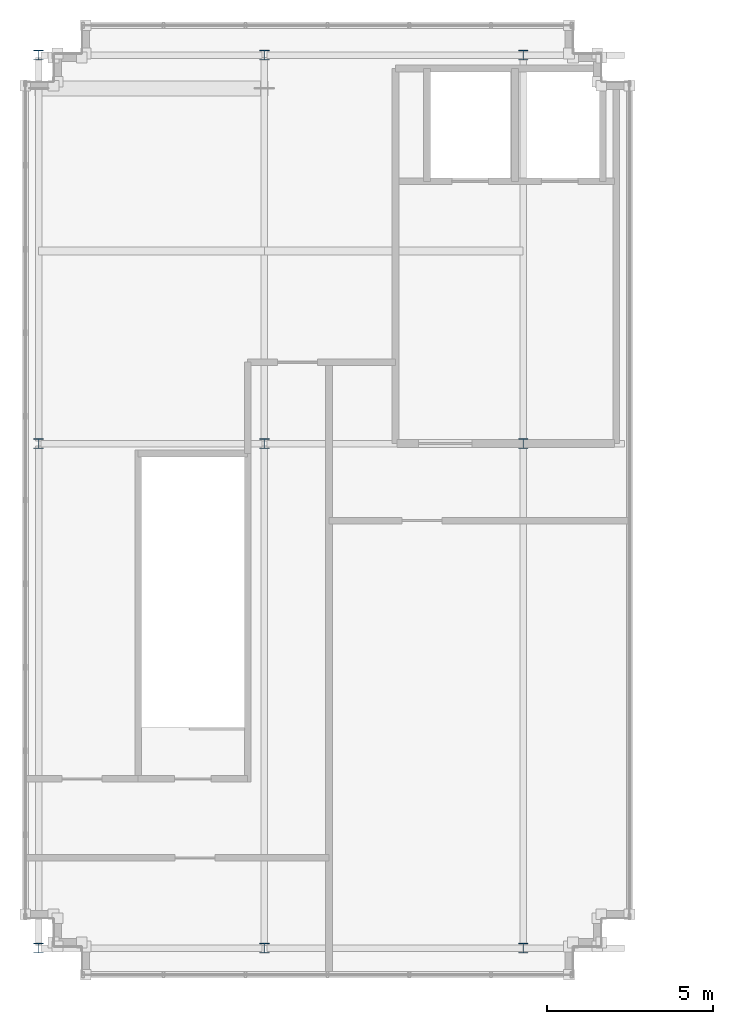
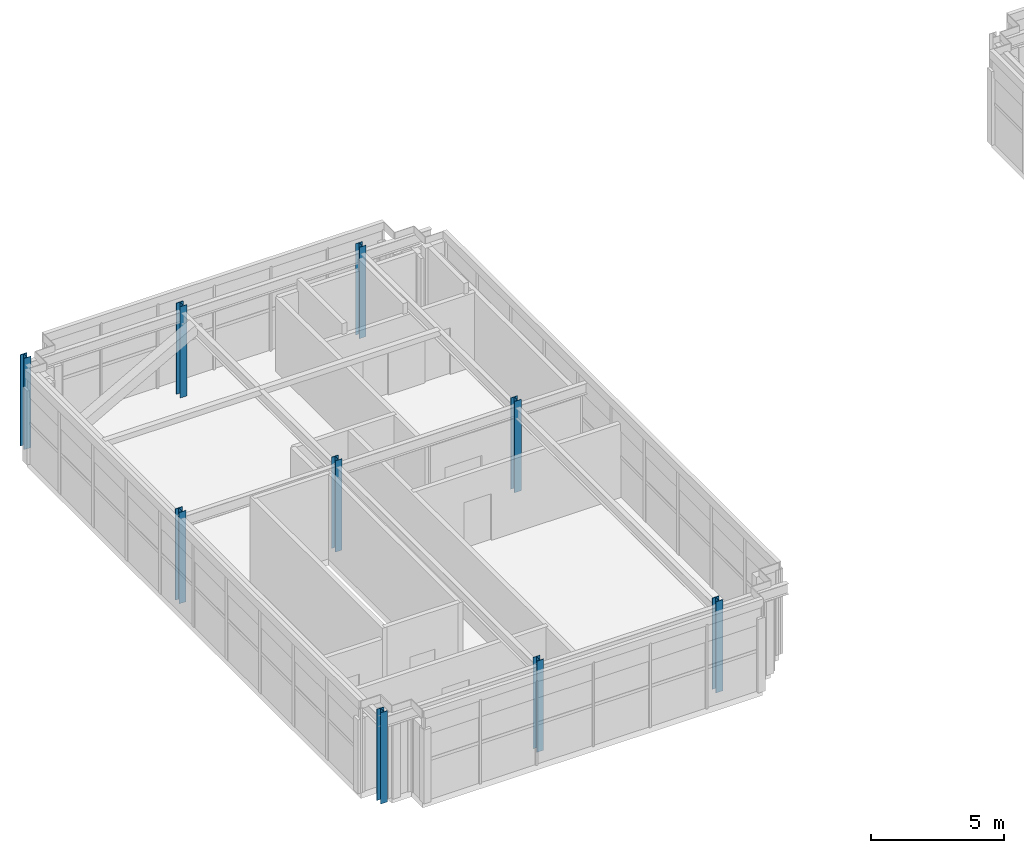
# One storey, part 1 of 25: 9 columns.
"""IFC4 building model written with IfcOpenShell, lengths in metres."""

from ifc_helpers import new_model, si_unit, direction, frame, origin, origin_2d, place, context, subcontext, project, spatial, i_section, extrude, source, transform, mapped, material, material_profile, profile_set, type_object, element, save


model = new_model("IFC4")

# Units and contexts
model_context = context("Model", 3, precision=1e-05, world=origin(), true_north=direction((0.0, 1.0)))
body_context = subcontext(model_context, "Body", "Model", "MODEL_VIEW")
ifc_project = project(units=[si_unit("LENGTHUNIT", "METRE"), si_unit("AREAUNIT", "SQUARE_METRE"), si_unit("VOLUMEUNIT", "CUBIC_METRE"), si_unit("PLANEANGLEUNIT", "RADIAN"), si_unit("MASSUNIT", "GRAM", prefix="KILO")], contexts=[model_context])

# Site, building, storey
site_placement = place(None, origin())
site = spatial("IfcSite", under=ifc_project, at=site_placement, CompositionType="ELEMENT")
building_placement = place(site_placement, origin())
building = spatial("IfcBuilding", under=site, at=building_placement, Name="Trelvane Seafront Commons", CompositionType="ELEMENT")
storey_placement = place(building_placement, frame((0.0, 0.0, 320.89990234375)))
storey = spatial("IfcBuildingStorey", under=building, at=storey_placement, Name="L83", CompositionType="ELEMENT", Elevation=320.89990234375)

# Columns
ifc_material = material(Name="Steel SM355 (S355)", Category="steel")
ifc_material_profile = material_profile(ifc_material, i_section(OverallWidth=0.300048828125, OverallDepth=0.300048828125, WebThickness=0.014892578125, FlangeThickness=0.02392578125, at=origin_2d()), Name="HD-300x300x15x24")
ifc_profile_set = profile_set([ifc_material_profile], Name="Steel SM355 (S355)")
column_type = type_object("IfcColumnType", Name="STR-CROWN-FRAME-COL", PredefinedType="COLUMN", material=ifc_profile_set)
shared_shape = source(origin(), body_context, "Body", "SweptSolid", [
    extrude(i_section(OverallWidth=0.300048828125, OverallDepth=0.300048828125, WebThickness=0.014892578125, FlangeThickness=0.02392578125, at=origin_2d()), origin(), (0.0, 0.0, 1.0), 4.2001953125),
])
for number, where, z_axis, x_axis, name in (
    (1, (8.800048828125, 18.199951171875, 0.0), (0.0, 0.0, 1.0), (1.0, 0.0, 0.0), "L83 CROWN FRAME Column CRN-1-1"),
    (2, (8.800048828125, 33.39990234375, 0.0), (0.0, 0.0, 1.0), (1.0, 0.0, 0.0), "L83 CROWN FRAME Column CRN-1-2"),
    (3, (8.800048828125, 45.10009765625, 0.0), (0.0, 0.0, 1.0), (1.0, 0.0, 0.0), "L83 CROWN FRAME Column CRN-1-3"),
    (4, (15.60009765625, 18.199951171875, 0.0), (0.0, 0.0, 1.0), (1.0, 0.0, 0.0), "L83 CROWN FRAME Column CRN-2-1"),
    (5, (15.60009765625, 33.39990234375, 0.0), (0.0, 0.0, 1.0), (1.0, 0.0, 0.0), "L83 CROWN FRAME Column CRN-2-2"),
    (6, (15.60009765625, 45.10009765625, 0.0), (0.0, 0.0, 1.0), (1.0, 0.0, 0.0), "L83 CROWN FRAME Column CRN-2-3"),
    (7, (23.39990234375, 18.199951171875, 0.0), (0.0, 0.0, 1.0), (1.0, 0.0, 0.0), "L83 CROWN FRAME Column CRN-3-1"),
    (8, (23.39990234375, 33.39990234375, 0.0), (0.0, 0.0, 1.0), (1.0, 0.0, 0.0), "L83 CROWN FRAME Column CRN-3-2"),
    (9, (23.39990234375, 45.10009765625, 0.0), (0.0, 0.0, 1.0), (1.0, 0.0, 0.0), "L83 CROWN FRAME Column CRN-3-3"),
):
    element("IfcColumn", number, at=place(storey_placement, frame(where, z_axis=z_axis, x_axis=x_axis)), inside=storey, type_object=column_type, Name=name, PredefinedType="COLUMN", context=body_context, shape_type="MappedRepresentation", body=[
        mapped(shared_shape, transform((0.0, 0.0, 0.0), x_axis=(1.0, 0.0, 0.0), y_axis=(0.0, 1.0, 0.0), z_axis=(0.0, 0.0, 1.0), scale=1.0)),
    ])

save(model, "model.ifc")
